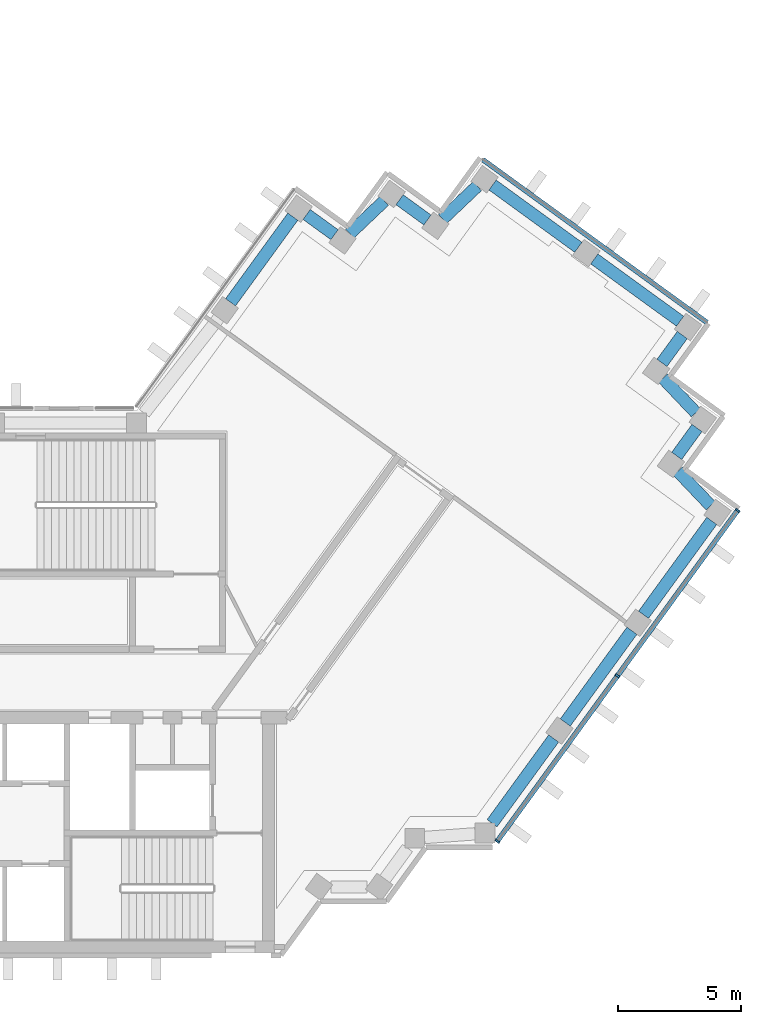
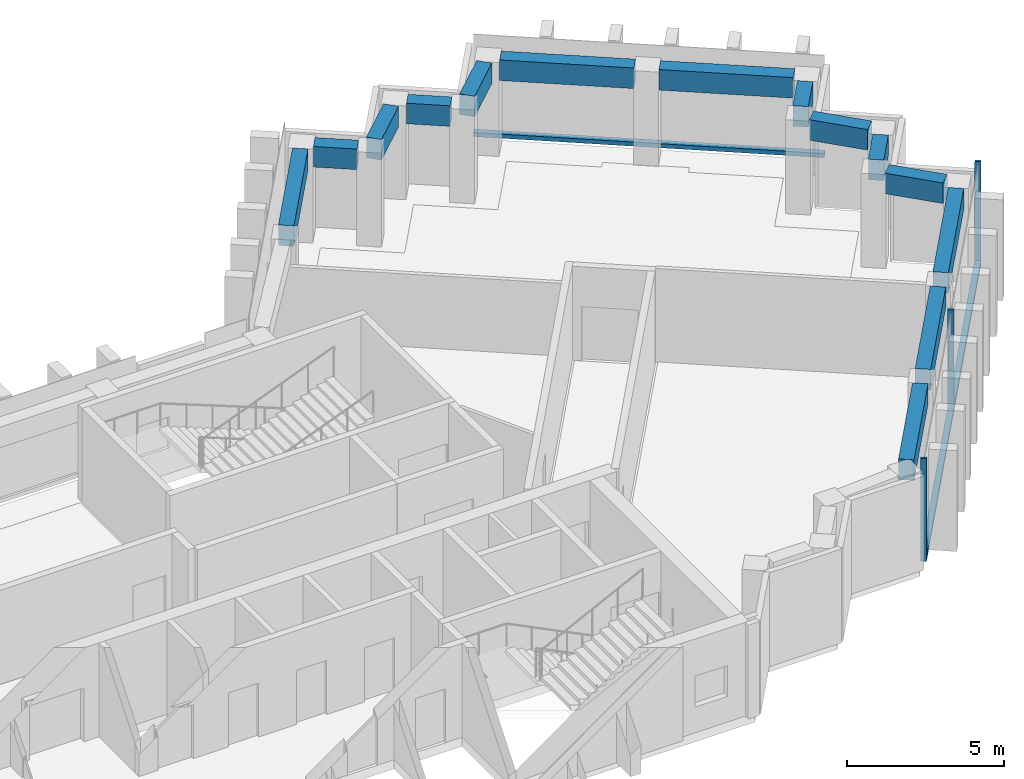
"""IFC4 building model written with IfcOpenShell, lengths in metres."""

from ifc_helpers import new_model, si_unit, direction, frame, origin, origin_2d, place, context, subcontext, project, spatial, rectangle, extrude, material, material_profile, profile_set, type_object, element, aggregate, save


model = new_model("IFC4")

# Units and contexts
model_context = context("Model", 3, precision=1e-05, world=origin(), true_north=direction((0.0, 1.0)))
body_context = subcontext(model_context, "Body", "Model", "MODEL_VIEW")
ifc_project = project(units=[si_unit("LENGTHUNIT", "METRE"), si_unit("AREAUNIT", "SQUARE_METRE"), si_unit("VOLUMEUNIT", "CUBIC_METRE"), si_unit("PLANEANGLEUNIT", "RADIAN"), si_unit("MASSUNIT", "GRAM", prefix="KILO")], contexts=[model_context])

# Site, building, storey
site_placement = place(None, origin())
site = spatial("IfcSite", under=ifc_project, at=site_placement, CompositionType="ELEMENT")
building_placement = place(site_placement, origin())
building = spatial("IfcBuilding", under=site, at=building_placement, Name="Quipu Civic Tower", CompositionType="ELEMENT")
storey_1_placement = place(building_placement, frame((0.0, 0.0, 194.0)))
storey_1 = spatial("IfcBuildingStorey", under=building, at=storey_1_placement, Name="L45", CompositionType="ELEMENT", Elevation=194.0)

# Curtain wall, members
ifc_material_1 = material(Name="Insulated glass unit", Category="glass")
curtain_wall_type = type_object("IfcCurtainWallType", Name="Office curtain wall CW1", PredefinedType="NOTDEFINED", material=ifc_material_1)
curtain_wall_1_placement = place(storey_1_placement, origin())
curtain_wall_1 = element("IfcCurtainWall", 1, at=curtain_wall_1_placement, inside=storey_1, type_object=curtain_wall_type, Name="Office curtain wall CW1 L45 run 1", PredefinedType="NOTDEFINED")
ifc_material_2 = material(Name="Anodised aluminium", Category="aluminium")
ifc_material_profile_1 = material_profile(ifc_material_2, rectangle(XDim=0.199951171875, YDim=0.080078125, at=origin_2d()), Name="RECT 200x80")
ifc_profile_set_1 = profile_set([ifc_material_profile_1], Name="Anodised aluminium")
member_type_1 = type_object("IfcMemberType", Name="Mullion CW1", PredefinedType="MULLION", material=ifc_profile_set_1)
member_1_placement = place(storey_1_placement, frame((29.029296875, -6.45654296875, 0.080078125), z_axis=(0.0, 0.0, 1.0), x_axis=(-0.809015868502, 0.58778680192, 0.0)))
member_1 = element("IfcMember", 2, at=member_1_placement, type_object=member_type_1, Name="CW1 mullion 1", PredefinedType="MULLION", context=body_context, shape_type="SweptSolid", body=[
    extrude(rectangle(XDim=0.199951171875, YDim=0.080078125, at=origin_2d()), origin(), (0.0, 0.0, 1.0), 4.0),
])
member_2_placement = place(storey_1_placement, frame((33.90087890625, 0.24853515625, 0.080078125), z_axis=(0.0, 0.0, 1.0), x_axis=(-0.809015868502, 0.58778680192, 0.0)))
member_2 = element("IfcMember", 3, at=member_2_placement, type_object=member_type_1, Name="CW1 mullion 2", PredefinedType="MULLION", context=body_context, shape_type="SweptSolid", body=[
    extrude(rectangle(XDim=0.199951171875, YDim=0.080078125, at=origin_2d()), origin(), (0.0, 0.0, 1.0), 4.0),
])
member_3_placement = place(storey_1_placement, frame((38.772705078125, 6.953857421875, 0.080078125), z_axis=(0.0, 0.0, 1.0), x_axis=(-0.809015868502, 0.58778680192, 0.0)))
member_3 = element("IfcMember", 4, at=member_3_placement, type_object=member_type_1, Name="CW1 mullion 3", PredefinedType="MULLION", context=body_context, shape_type="SweptSolid", body=[
    extrude(rectangle(XDim=0.199951171875, YDim=0.080078125, at=origin_2d()), origin(), (0.0, 0.0, 1.0), 4.0),
])

# Beams
ifc_material_3 = material(Name="Concrete C50/60", Category="concrete")
ifc_material_profile_2 = material_profile(ifc_material_3, rectangle(XDim=0.5, YDim=0.800048828125, at=origin_2d()), Name="RC500x800")
ifc_profile_set_2 = profile_set([ifc_material_profile_2], Name="Concrete C50/60")
beam_type = type_object("IfcBeamType", Name="Spandrel beam RC 500x800 C50/60", PredefinedType="SPANDREL", material=ifc_profile_set_2)
beam_1_placement = place(storey_1_placement, frame((28.815673828125, -5.72998046875, 3.25), z_axis=(0.58776850526, 0.809029161541, 0.0), x_axis=(-0.809029161541, 0.58776850526, 0.0)))
element("IfcBeam", 5, at=beam_1_placement, inside=storey_1, type_object=beam_type, Name="Spandrel beam L45 J-Eo.4 to E-OUT-01", PredefinedType="SPANDREL", context=body_context, shape_type="SweptSolid", body=[
    extrude(rectangle(XDim=0.5, YDim=0.800048828125, at=origin_2d()), origin(), (0.0, 0.0, 1.0), 4.249267578125),
])
beam_2_placement = place(storey_1_placement, frame((31.783447265625, -1.64501953125, 3.25), z_axis=(0.587796098864, 0.809009113768, 0.0), x_axis=(-0.809009113768, 0.587796098864, 0.0)))
element("IfcBeam", 6, at=beam_2_placement, inside=storey_1, type_object=beam_type, Name="Spandrel beam L45 E-OUT-01 to E-OUT-02", PredefinedType="SPANDREL", context=body_context, shape_type="SweptSolid", body=[
    extrude(rectangle(XDim=0.5, YDim=0.800048828125, at=origin_2d()), origin(), (0.0, 0.0, 1.0), 4.60009765625),
])
beam_3_placement = place(storey_1_placement, frame((34.95751953125, 2.7236328125, 3.25), z_axis=(0.587891029962, 0.808940131833, 0.0), x_axis=(-0.808940131833, 0.587891029962, 0.0)))
element("IfcBeam", 7, at=beam_3_placement, inside=storey_1, type_object=beam_type, Name="Spandrel beam L45 E-OUT-02 to T-Eo.0-E22", PredefinedType="SPANDREL", context=body_context, shape_type="SweptSolid", body=[
    extrude(rectangle(XDim=0.5, YDim=0.800048828125, at=origin_2d()), origin(), (0.0, 0.0, 1.0), 4.707275390625),
])
beam_4_placement = place(storey_1_placement, frame((37.6796875, 7.149658203125, 3.25), z_axis=(-0.689191109061, 0.724579612735, 0.0), x_axis=(-0.724579612735, -0.689191109061, 0.0)))
element("IfcBeam", 8, at=beam_4_placement, inside=storey_1, type_object=beam_type, Name="Spandrel beam L45 T-Eo.0-E22 to T-Eo.1-E22", PredefinedType="SPANDREL", context=body_context, shape_type="SweptSolid", body=[
    extrude(rectangle(XDim=0.5, YDim=0.800048828125, at=origin_2d()), origin(), (0.0, 0.0, 1.0), 1.931640625),
])
beam_5_placement = place(storey_1_placement, frame((36.302978515625, 9.16796875, 3.25), z_axis=(0.58725897397, 0.809399096547, 0.0), x_axis=(-0.809399096547, 0.58725897397, 0.0)))
element("IfcBeam", 9, at=beam_5_placement, inside=storey_1, type_object=beam_type, Name="Spandrel beam L45 T-Eo.1-E22 to T-Eo.2-E22", PredefinedType="SPANDREL", context=body_context, shape_type="SweptSolid", body=[
    extrude(rectangle(XDim=0.5, YDim=0.800048828125, at=origin_2d()), origin(), (0.0, 0.0, 1.0), 1.400146484375),
])
beam_6_placement = place(storey_1_placement, frame((37.080078125, 10.920166015625, 3.25), z_axis=(-0.688280901551, 0.725444278053, 0.0), x_axis=(-0.725444278053, -0.688280901551, 0.0)))
element("IfcBeam", 10, at=beam_6_placement, inside=storey_1, type_object=beam_type, Name="Spandrel beam L45 T-Eo.2-E22 to T-Eo.3-E22", PredefinedType="SPANDREL", context=body_context, shape_type="SweptSolid", body=[
    extrude(rectangle(XDim=0.5, YDim=0.800048828125, at=origin_2d()), origin(), (0.0, 0.0, 1.0), 1.931396484375),
])
beam_7_placement = place(storey_1_placement, frame((35.7060546875, 12.93994140625, 3.25), z_axis=(0.58841024035, 0.808562544922, 0.0), x_axis=(-0.808562544922, 0.58841024035, 0.0)))
element("IfcBeam", 11, at=beam_7_placement, inside=storey_1, type_object=beam_type, Name="Spandrel beam L45 T-Eo.3-E22 to T-Eo.4-E22", PredefinedType="SPANDREL", context=body_context, shape_type="SweptSolid", body=[
    extrude(rectangle(XDim=0.5, YDim=0.800048828125, at=origin_2d()), origin(), (0.0, 0.0, 1.0), 1.3994140625),
])
beam_8_placement = place(storey_1_placement, frame((36.44140625, 14.630126953125, 3.25), z_axis=(-0.809153076016, 0.587597906373, 0.0), x_axis=(-0.587597906373, -0.809153076016, 0.0)))
element("IfcBeam", 12, at=beam_8_placement, inside=storey_1, type_object=beam_type, Name="Spandrel beam L45 T-Eo.4-E22 to TIP-E-01-E22", PredefinedType="SPANDREL", context=body_context, shape_type="SweptSolid", body=[
    extrude(rectangle(XDim=0.5, YDim=0.800048828125, at=origin_2d()), origin(), (0.0, 0.0, 1.0), 4.302001953125),
])
beam_9_placement = place(storey_1_placement, frame((32.313232421875, 17.6279296875, 3.25), z_axis=(-0.80911644178, 0.587648350327, 0.0), x_axis=(-0.587648350327, -0.80911644178, 0.0)))
element("IfcBeam", 13, at=beam_9_placement, inside=storey_1, type_object=beam_type, Name="Spandrel beam L45 TIP-E-01-E22 to T-Ei.0-E22", PredefinedType="SPANDREL", context=body_context, shape_type="SweptSolid", body=[
    extrude(rectangle(XDim=0.5, YDim=0.800048828125, at=origin_2d()), origin(), (0.0, 0.0, 1.0), 4.30029296875),
])
beam_10_placement = place(storey_1_placement, frame((28.21484375, 20.10986328125, 3.25), z_axis=(-0.725384387405, -0.688344020464, 0.0), x_axis=(0.688344020464, -0.725384387405, 0.0)))
element("IfcBeam", 14, at=beam_10_placement, inside=storey_1, type_object=beam_type, Name="Spandrel beam L45 T-Ei.0-E22 to T-Ei.1-E22", PredefinedType="SPANDREL", context=body_context, shape_type="SweptSolid", body=[
    extrude(rectangle(XDim=0.5, YDim=0.800048828125, at=origin_2d()), origin(), (0.0, 0.0, 1.0), 1.93115234375),
])
beam_11_placement = place(storey_1_placement, frame((26.195556640625, 18.73583984375, 3.25), z_axis=(-0.808600329101, 0.588358315805, 0.0), x_axis=(-0.588358315805, -0.808600329101, 0.0)))
element("IfcBeam", 15, at=beam_11_placement, inside=storey_1, type_object=beam_type, Name="Spandrel beam L45 T-Ei.1-E22 to T-Ei.2-E22", PredefinedType="SPANDREL", context=body_context, shape_type="SweptSolid", body=[
    extrude(rectangle(XDim=0.5, YDim=0.800048828125, at=origin_2d()), origin(), (0.0, 0.0, 1.0), 1.400146484375),
])
beam_12_placement = place(storey_1_placement, frame((24.445068359375, 19.514892578125, 3.25), z_axis=(-0.72506883804, -0.688676397232, 0.0), x_axis=(0.688676397232, -0.72506883804, 0.0)))
element("IfcBeam", 16, at=beam_12_placement, inside=storey_1, type_object=beam_type, Name="Spandrel beam L45 T-Ei.2-E22 to T-Ei.3-E22", PredefinedType="SPANDREL", context=body_context, shape_type="SweptSolid", body=[
    extrude(rectangle(XDim=0.5, YDim=0.800048828125, at=origin_2d()), origin(), (0.0, 0.0, 1.0), 1.93212890625),
])
beam_13_placement = place(storey_1_placement, frame((22.425537109375, 18.13916015625, 3.25), z_axis=(-0.809452764948, 0.587184997524, 0.0), x_axis=(-0.587184997524, -0.809452764948, 0.0)))
element("IfcBeam", 17, at=beam_13_placement, inside=storey_1, type_object=beam_type, Name="Spandrel beam L45 T-Ei.3-E22 to T-Ei.4-E22", PredefinedType="SPANDREL", context=body_context, shape_type="SweptSolid", body=[
    extrude(rectangle(XDim=0.5, YDim=0.800048828125, at=origin_2d()), origin(), (0.0, 0.0, 1.0), 1.398193359375),
])
beam_14_placement = place(storey_1_placement, frame((20.734619140625, 18.87158203125, 3.25), z_axis=(-0.58812775221, -0.808768042816, 0.0), x_axis=(0.808768042816, -0.58812775221, 0.0)))
element("IfcBeam", 18, at=beam_14_placement, inside=storey_1, type_object=beam_type, Name="Spandrel beam L45 T-Ei.4-E22 to E-IN-01", PredefinedType="SPANDREL", context=body_context, shape_type="SweptSolid", body=[
    extrude(rectangle(XDim=0.5, YDim=0.800048828125, at=origin_2d()), origin(), (0.0, 0.0, 1.0), 4.29443359375),
])

# Member
ifc_material_4 = material(Name="Anodised aluminium", Category="aluminium")
ifc_material_profile_3 = material_profile(ifc_material_4, rectangle(XDim=0.199951171875, YDim=0.159912109375, at=origin_2d()), Name="RECT 200x160")
ifc_profile_set_3 = profile_set([ifc_material_profile_3], Name="Anodised aluminium")
member_type_2 = type_object("IfcMemberType", Name="Transom CW1", PredefinedType="USERDEFINED", material=ifc_profile_set_3)
member_4_placement = place(storey_1_placement, frame((29.052978515625, -6.424072265625, 0.159912109375), z_axis=(0.587780770372, 0.809020250662, 0.0), x_axis=(-0.809020250662, 0.587780770372, 0.0)))
member_4 = element("IfcMember", 19, at=member_4_placement, type_object=member_type_2, Name="CW1 transom 1.1", ObjectType="TRANSOM", PredefinedType="USERDEFINED", context=body_context, shape_type="SweptSolid", body=[
    extrude(rectangle(XDim=0.199951171875, YDim=0.159912109375, at=origin_2d()), origin(), (0.0, 0.0, 1.0), 8.2080078125),
])

member_5_placement = place(storey_1_placement, frame((33.924560546875, 0.281005859375, 0.159912109375), z_axis=(0.587780770372, 0.809020250662, 0.0), x_axis=(-0.809020250662, 0.587780770372, 0.0)))
member_5 = element("IfcMember", 20, at=member_5_placement, type_object=member_type_2, Name="CW1 transom 2.1", ObjectType="TRANSOM", PredefinedType="USERDEFINED", context=body_context, shape_type="SweptSolid", body=[
    extrude(rectangle(XDim=0.199951171875, YDim=0.159912109375, at=origin_2d()), origin(), (0.0, 0.0, 1.0), 8.2080078125),
])

aggregate(curtain_wall_1, [member_1, member_2, member_3, member_4, member_5])

# Storey
storey_2_placement = place(building_placement, frame((0.0, 0.0, 198.0)))
storey_2 = spatial("IfcBuildingStorey", under=building, at=storey_2_placement, Name="L46", CompositionType="ELEMENT", Elevation=198.0)

# Curtain wall, member
curtain_wall_2_placement = place(storey_2_placement, origin())
curtain_wall_2 = element("IfcCurtainWall", 21, at=curtain_wall_2_placement, inside=storey_2, type_object=curtain_wall_type, Name="Office curtain wall CW1 L45 run 6", PredefinedType="NOTDEFINED")
member_6_placement = place(storey_1_placement, frame((37.536865234375, 14.575927734375, 0.159912109375), z_axis=(-0.809022463805, 0.587777724194, 0.0), x_axis=(-0.587777724194, -0.809022463805, 0.0)))
member_6 = element("IfcMember", 22, at=member_6_placement, inside=storey_1, type_object=member_type_2, Name="CW1 transom 1.1", ObjectType="TRANSOM", PredefinedType="USERDEFINED", context=body_context, shape_type="SweptSolid", body=[
    extrude(rectangle(XDim=0.199951171875, YDim=0.159912109375, at=origin_2d()), origin(), (0.0, 0.0, 1.0), 11.240234375),
])
aggregate(curtain_wall_2, [member_6])

save(model, "model.ifc")
